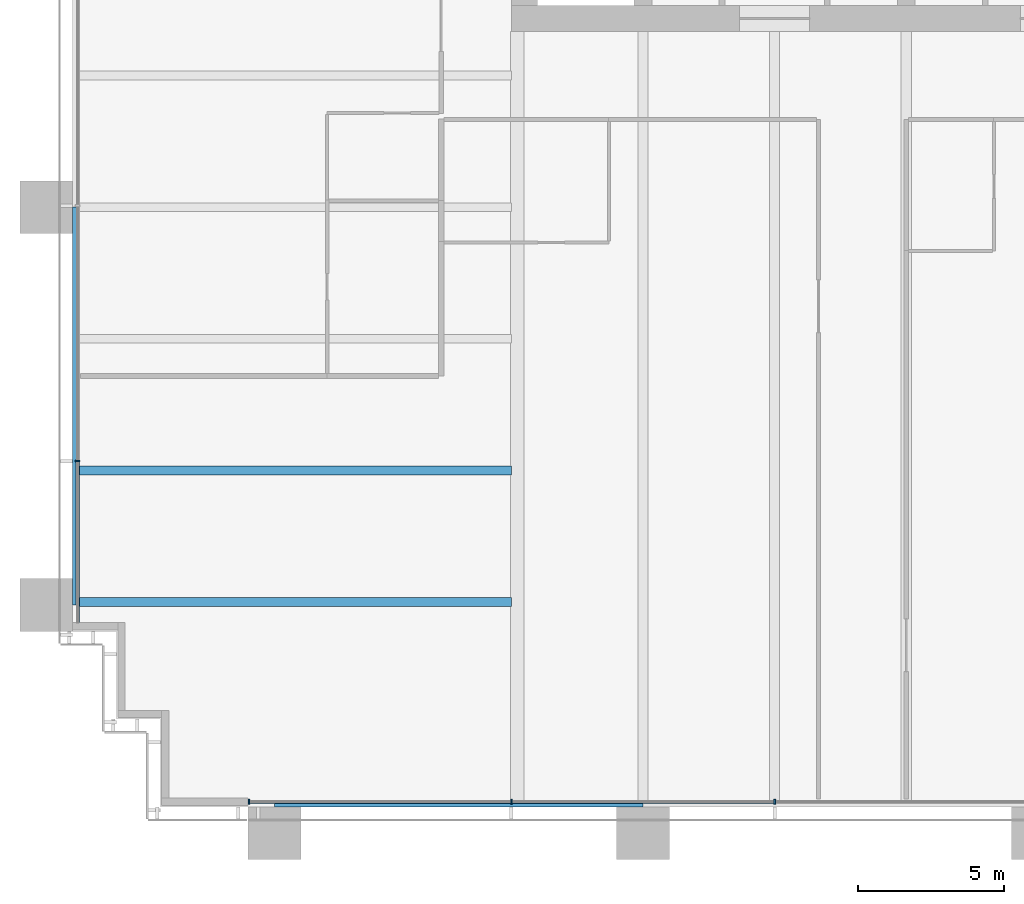
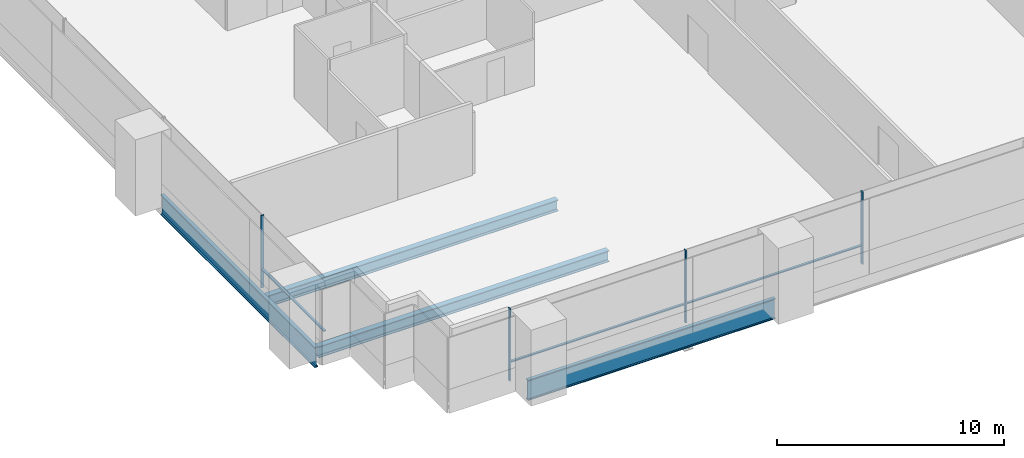
# One storey, part 2 of 19: 7 members, 4 beams, 2 elements without a shape of their own.
"""IFC4 building model written with IfcOpenShell, lengths in metres."""

from ifc_helpers import new_model, si_unit, direction, frame, origin, origin_2d, place, context, subcontext, project, spatial, rectangle, i_section, extrude, material, material_profile, profile_set, type_object, element, aggregate, save


model = new_model("IFC4")

# Units and contexts
model_context = context("Model", 3, precision=1e-05, world=origin(), true_north=direction((0.0, 1.0)))
body_context = subcontext(model_context, "Body", "Model", "MODEL_VIEW")
ifc_project = project(units=[si_unit("LENGTHUNIT", "METRE"), si_unit("AREAUNIT", "SQUARE_METRE"), si_unit("VOLUMEUNIT", "CUBIC_METRE"), si_unit("PLANEANGLEUNIT", "RADIAN"), si_unit("MASSUNIT", "GRAM", prefix="KILO")], contexts=[model_context])

# Site, building, storey
site_placement = place(None, origin())
site = spatial("IfcSite", under=ifc_project, at=site_placement, CompositionType="ELEMENT")
building_placement = place(site_placement, origin())
building = spatial("IfcBuilding", under=site, at=building_placement, Name="Rattan Terrace Tower", CompositionType="ELEMENT")
storey_placement = place(building_placement, frame((0.0, 0.0, 52.89990234375)))
storey = spatial("IfcBuildingStorey", under=building, at=storey_placement, Name="L11", CompositionType="ELEMENT", Elevation=52.89990234375)

# Curtain wall, member
ifc_material_1 = material(Name="Aluminium and glass", Category="aluminium")
curtain_wall_type = type_object("IfcCurtainWallType", Name="Facade Unitised Curtain Wall", PredefinedType="NOTDEFINED", material=ifc_material_1)
curtain_wall_1_placement = place(storey_placement, origin())
curtain_wall_1 = element("IfcCurtainWall", 1, at=curtain_wall_1_placement, inside=storey, type_object=curtain_wall_type, Name="Curtain wall L11-3", PredefinedType="NOTDEFINED")
ifc_material_2 = material(Name="Aluminium", Category="aluminium")
ifc_material_profile_1 = material_profile(ifc_material_2, rectangle(XDim=0.06005859375, YDim=0.159912109375, at=origin_2d()), Name="Aluminium 60x160")
ifc_profile_set_1 = profile_set([ifc_material_profile_1], Name="Aluminium")
member_type_1 = type_object("IfcMemberType", Name="Facade CW Mullion 60x160", PredefinedType="MULLION", material=ifc_profile_set_1)
member_1_placement = place(storey_placement, frame((-32.830078125, -22.180908203125, 0.0), z_axis=(0.0, 0.0, 1.0), x_axis=(0.0, -1.0, 0.0)))
member_1 = element("IfcMember", 2, at=member_1_placement, type_object=member_type_1, Name="Mullion cwl-L11-003.4", PredefinedType="MULLION", context=body_context, shape_type="SweptSolid", body=[
    extrude(rectangle(XDim=0.06005859375, YDim=0.159912109375, at=origin_2d()), origin(), (0.0, 0.0, 1.0), 3.900146484375),
])

# Curtain wall, members
curtain_wall_2_placement = place(storey_placement, origin())
curtain_wall_2 = element("IfcCurtainWall", 3, at=curtain_wall_2_placement, inside=storey, type_object=curtain_wall_type, Name="Curtain wall L11-4", PredefinedType="NOTDEFINED")
member_2_placement = place(storey_placement, frame((-26.969970703125, -33.830078125, 0.0), z_axis=(0.0, 0.0, 1.0), x_axis=(1.0, 0.0, 0.0)))
member_2 = element("IfcMember", 4, at=member_2_placement, type_object=member_type_1, Name="Mullion cwl-L11-004.1", PredefinedType="MULLION", context=body_context, shape_type="SweptSolid", body=[
    extrude(rectangle(XDim=0.06005859375, YDim=0.159912109375, at=origin_2d()), origin(), (0.0, 0.0, 1.0), 3.900146484375),
])
member_3_placement = place(storey_placement, frame((-18.0, -33.830078125, 0.0), z_axis=(0.0, 0.0, 1.0), x_axis=(1.0, 0.0, 0.0)))
member_3 = element("IfcMember", 5, at=member_3_placement, type_object=member_type_1, Name="Mullion cwl-L11-004.2", PredefinedType="MULLION", context=body_context, shape_type="SweptSolid", body=[
    extrude(rectangle(XDim=0.06005859375, YDim=0.159912109375, at=origin_2d()), origin(), (0.0, 0.0, 1.0), 3.900146484375),
])
member_4_placement = place(storey_placement, frame((-9.0, -33.830078125, 0.0), z_axis=(0.0, 0.0, 1.0), x_axis=(1.0, 0.0, 0.0)))
member_4 = element("IfcMember", 6, at=member_4_placement, type_object=member_type_1, Name="Mullion cwl-L11-004.3", PredefinedType="MULLION", context=body_context, shape_type="SweptSolid", body=[
    extrude(rectangle(XDim=0.06005859375, YDim=0.159912109375, at=origin_2d()), origin(), (0.0, 0.0, 1.0), 3.900146484375),
])

# Member
ifc_material_3 = material(Name="Aluminium", Category="aluminium")
ifc_material_profile_2 = material_profile(ifc_material_3, rectangle(XDim=0.1201171875, YDim=0.06005859375, at=origin_2d()), Name="Aluminium 120x60")
ifc_profile_set_2 = profile_set([ifc_material_profile_2], Name="Aluminium")
member_type_2 = type_object("IfcMemberType", Name="Facade CW Transom 120x60", PredefinedType="USERDEFINED", material=ifc_profile_set_2)
member_5_placement = place(storey_placement, frame((-32.830078125, -22.2109375, 1.0), z_axis=(0.0, -1.0, 0.0), x_axis=(1.0, 0.0, 0.0)))
member_5 = element("IfcMember", 7, at=member_5_placement, type_object=member_type_2, Name="Transom cwl-L11-003.4", ObjectType="TRANSOM", PredefinedType="USERDEFINED", context=body_context, shape_type="SweptSolid", body=[
    extrude(rectangle(XDim=0.1201171875, YDim=0.06005859375, at=origin_2d()), origin(), (0.0, 0.0, 1.0), 5.494140625),
])

aggregate(curtain_wall_1, [member_1, member_5])

member_6_placement = place(storey_placement, frame((-26.93994140625, -33.830078125, 1.0), z_axis=(1.0, 0.0, 0.0), x_axis=(0.0, 1.0, 0.0)))
member_6 = element("IfcMember", 8, at=member_6_placement, type_object=member_type_2, Name="Transom cwl-L11-004.1", ObjectType="TRANSOM", PredefinedType="USERDEFINED", context=body_context, shape_type="SweptSolid", body=[
    extrude(rectangle(XDim=0.1201171875, YDim=0.06005859375, at=origin_2d()), origin(), (0.0, 0.0, 1.0), 8.909912109375),
])

member_7_placement = place(storey_placement, frame((-17.969970703125, -33.830078125, 1.0), z_axis=(1.0, 0.0, 0.0), x_axis=(0.0, 1.0, 0.0)))
member_7 = element("IfcMember", 9, at=member_7_placement, type_object=member_type_2, Name="Transom cwl-L11-004.2", ObjectType="TRANSOM", PredefinedType="USERDEFINED", context=body_context, shape_type="SweptSolid", body=[
    extrude(rectangle(XDim=0.1201171875, YDim=0.06005859375, at=origin_2d()), origin(), (0.0, 0.0, 1.0), 8.93994140625),
])

aggregate(curtain_wall_2, [member_2, member_3, member_4, member_6, member_7])

# Beams
ifc_material_4 = material(Name="Steel S460", Category="steel")
ifc_material_profile_3 = material_profile(ifc_material_4, i_section(OverallWidth=0.179931640625, OverallDepth=1.10009765625, WebThickness=0.01611328125, FlangeThickness=0.050048828125, at=origin_2d()), Name="PG 1100x180-16-50")
ifc_profile_set_3 = profile_set([ifc_material_profile_3], Name="Steel S460")
beam_type_1 = type_object("IfcBeamType", Name="Frame edge girder PG 1100x180-16-50", PredefinedType="SPANDREL", material=ifc_profile_set_3)
beam_1_placement = place(storey_placement, frame((-26.10009765625, -33.909912109375, -0.75), z_axis=(1.0, 0.0, 0.0), x_axis=(0.0, 1.0, 0.0)))
element("IfcBeam", 10, at=beam_1_placement, inside=storey, type_object=beam_type_1, Name="gdr-L11-001", PredefinedType="SPANDREL", context=body_context, shape_type="SweptSolid", body=[
    extrude(i_section(OverallWidth=0.179931640625, OverallDepth=1.10009765625, WebThickness=0.01611328125, FlangeThickness=0.050048828125, at=origin_2d()), origin(), (0.0, 0.0, 1.0), 12.60009765625),
])
beam_2_placement = place(storey_placement, frame((-32.909912109375, -13.5, -0.75), z_axis=(0.0, -1.0, 0.0), x_axis=(1.0, 0.0, 0.0)))
element("IfcBeam", 11, at=beam_2_placement, inside=storey, type_object=beam_type_1, Name="gdr-L11-006", PredefinedType="SPANDREL", context=body_context, shape_type="SweptSolid", body=[
    extrude(i_section(OverallWidth=0.179931640625, OverallDepth=1.10009765625, WebThickness=0.01611328125, FlangeThickness=0.050048828125, at=origin_2d()), origin(), (0.0, 0.0, 1.0), 13.60009765625),
])
ifc_material_5 = material(Name="Steel S355", Category="steel")
ifc_material_profile_4 = material_profile(ifc_material_5, i_section(OverallWidth=0.300048828125, OverallDepth=0.60009765625, WebThickness=0.015380859375, FlangeThickness=0.030029296875, FilletRadius=0.027099609375, at=origin_2d()), Name="HE 600 B")
ifc_profile_set_4 = profile_set([ifc_material_profile_4], Name="Steel S355")
beam_type_2 = type_object("IfcBeamType", Name="Frame floor beam HE 600 B", PredefinedType="JOIST", material=ifc_profile_set_4)
for number, where, z_axis, x_axis, name in (
    (12, (-32.820068359375, -27.0, -0.5), (1.0, 0.0, 0.0), (0.0, 1.0, 0.0), "bm-L11-010"),
    (13, (-32.820068359375, -22.5, -0.5), (1.0, 0.0, 0.0), (0.0, 1.0, 0.0), "bm-L11-012"),
):
    element("IfcBeam", number, at=place(storey_placement, frame(where, z_axis=z_axis, x_axis=x_axis)), inside=storey, type_object=beam_type_2, Name=name, PredefinedType="JOIST", context=body_context, shape_type="SweptSolid", body=[
        extrude(i_section(OverallWidth=0.300048828125, OverallDepth=0.60009765625, WebThickness=0.015380859375, FlangeThickness=0.030029296875, FilletRadius=0.027099609375, at=origin_2d()), origin(), (0.0, 0.0, 1.0), 14.820068359375),
    ])

save(model, "model.ifc")
